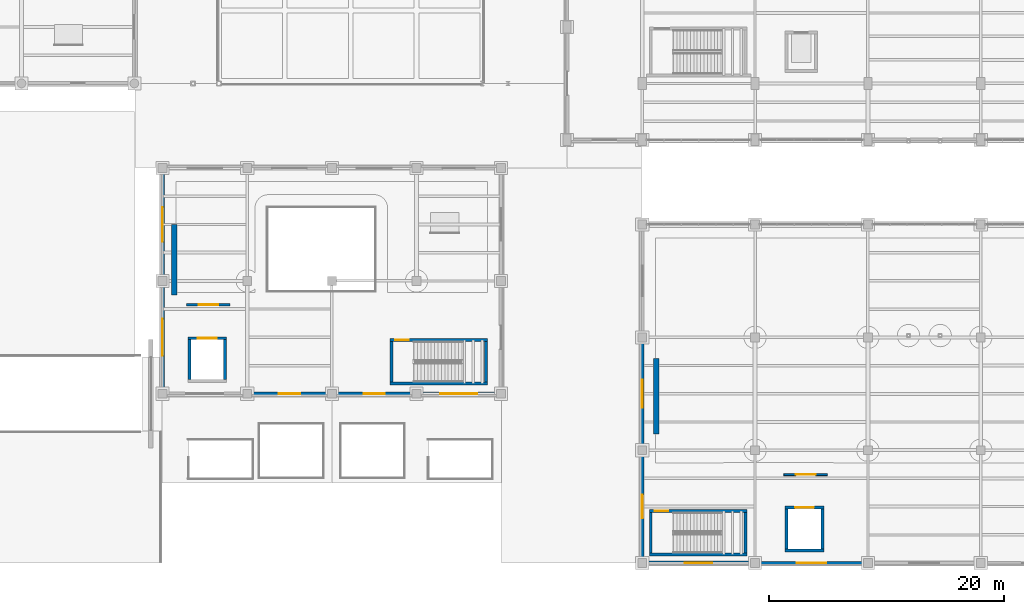
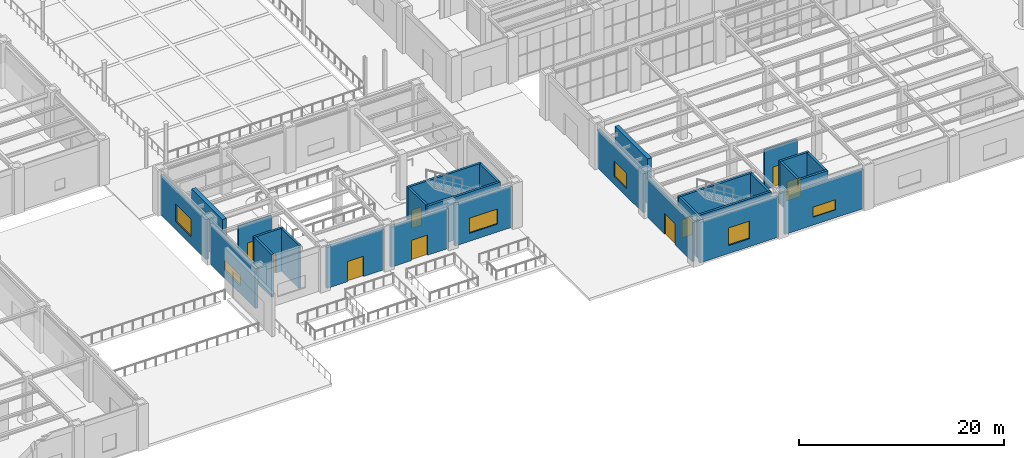
# One storey, part 131 of 164: 28 walls, 9 doors, 6 windows, 15 openings.
"""IFC4 building model written with IfcOpenShell, lengths in metres."""

import ifcopenshell
import ifcopenshell.guid

model = None  # the IFC model being written
_history = None  # IfcOwnerHistory: only IFC2X3 demands one
_inside = {}  # id of a spatial element -> (the spatial element, [elements in it])
_under = {}  # id of a project, library or spatial element -> (it, [spatial elements below it])
_declared = {}  # id of a project -> (the project, [libraries it declares])
_typed = {}  # id of a type object -> (the type object, [elements of that type])
_made_of = {}  # id of a material, layer set ... -> (it, [elements and type objects made of it])


def new_model(schema):
    """Start an empty IFC model of exactly this schema.

    Asked for "IFC4X3", IfcOpenShell would pick the latest addendum, in which some entities
    have other attributes; the version numbers below select the first issue.
    IFC2X3 requires an IfcOwnerHistory on every rooted entity: one is made here for all.
    """
    global model, _history
    if schema == "IFC4X3":
        model = ifcopenshell.file(schema_version=(4, 3, 0, 0))
    else:
        model = ifcopenshell.file(schema=schema)
    _inside.clear()
    _under.clear()
    _declared.clear()
    _typed.clear()
    _made_of.clear()
    _history = None
    if model.schema == "IFC2X3":
        org = make("IfcOrganization", Name="unknown")
        user = make(
            "IfcPersonAndOrganization",
            ThePerson=make("IfcPerson", FamilyName="unknown"),
            TheOrganization=org,
        )
        app = make(
            "IfcApplication",
            ApplicationDeveloper=org,
            Version="unknown",
            ApplicationFullName="unknown",
            ApplicationIdentifier="unknown",
        )
        _history = make(
            "IfcOwnerHistory",
            OwningUser=user,
            OwningApplication=app,
            ChangeAction="ADDED",
            CreationDate=0,
        )
    return model


def make(cls, **values):
    """One entity of the class cls with the attributes given. An attribute that is None is left unset."""
    return model.create_entity(
        cls, **{name: value for name, value in values.items() if value is not None}
    )


def rooted(cls, **values):
    """An entity with a GlobalId (a new one), such as an element, a storey or a relation."""
    return make(cls, GlobalId=ifcopenshell.guid.new(), OwnerHistory=_history, **values)


def si_unit(unit_type, name, prefix=None):
    """IfcSIUnit, for example si_unit("LENGTHUNIT", "METRE", prefix="MILLI")."""
    return make("IfcSIUnit", UnitType=unit_type, Prefix=prefix, Name=name)


def assignment(units):
    """IfcUnitAssignment: the units of a project."""
    return None if units is None else make("IfcUnitAssignment", Units=units)


def point(xyz):
    """IfcCartesianPoint."""
    return None if xyz is None else make("IfcCartesianPoint", Coordinates=xyz)


def direction(xyz):
    """IfcDirection."""
    return None if xyz is None else make("IfcDirection", DirectionRatios=xyz)


def frame(location, z_axis=None, x_axis=None):
    """IfcAxis2Placement3D, a coordinate frame: its origin and axes. An axis left out is left unset."""
    return make(
        "IfcAxis2Placement3D",
        Location=point(location),
        Axis=direction(z_axis),
        RefDirection=direction(x_axis),
    )


def frame_2d(location, x_axis=None):
    """IfcAxis2Placement2D, a coordinate frame in the plane: its origin and x axis."""
    return make(
        "IfcAxis2Placement2D", Location=point(location), RefDirection=direction(x_axis)
    )


def origin():
    """The frame at (0, 0, 0) with its axes left unset."""
    return frame((0.0, 0.0, 0.0))


def place(relative_to, where):
    """IfcLocalPlacement: puts the frame where relative to a parent placement (None: the world)."""
    return make(
        "IfcLocalPlacement", PlacementRelTo=relative_to, RelativePlacement=where
    )


def context(
    kind, dimensions, precision=None, world=None, true_north=None, identifier=None
):
    """IfcGeometricRepresentationContext, for example the 3D "Model" context."""
    return make(
        "IfcGeometricRepresentationContext",
        ContextIdentifier=identifier,
        ContextType=kind,
        CoordinateSpaceDimension=dimensions,
        Precision=precision,
        WorldCoordinateSystem=world,
        TrueNorth=true_north,
    )


def subcontext(parent, identifier, kind, view, scale=None):
    """IfcGeometricRepresentationSubContext, for example "Body" below "Model"."""
    return make(
        "IfcGeometricRepresentationSubContext",
        ContextIdentifier=identifier,
        ContextType=kind,
        ParentContext=parent,
        TargetScale=scale,
        TargetView=view,
    )


def project(units=None, contexts=None):
    """IfcProject with its units and contexts."""
    return rooted(
        "IfcProject",
        Name="project",
        RepresentationContexts=contexts,
        UnitsInContext=assignment(units),
    )


def spatial(cls, under=None, at=None, **own):
    """A site, building, storey or space (cls), placed at a placement, below another one or the project."""
    s = rooted(cls, ObjectPlacement=at, **own)
    if under is not None:
        _under.setdefault(under.id(), (under, []))[1].append(s)
    return s


def profile(cls, at=None, kind="AREA", **sizes):
    """A parametric profile (cls). Its sizes go by their IFC names, for example OverallWidth=200.0."""
    return make(cls, ProfileType=kind, Position=at, **sizes)


def rectangle(**sizes):
    """IfcRectangleProfileDef."""
    return profile("IfcRectangleProfileDef", **sizes)


def extrude(swept, where, along, depth):
    """IfcExtrudedAreaSolid: the profile swept, set in the frame where, extruded along a direction by depth."""
    return make(
        "IfcExtrudedAreaSolid",
        SweptArea=swept,
        Position=where,
        ExtrudedDirection=direction(along),
        Depth=depth,
    )


def shape(context_of_items, identifier, shape_type, items):
    """IfcShapeRepresentation: the items that make up one representation, for example the "Body"."""
    return make(
        "IfcShapeRepresentation",
        ContextOfItems=context_of_items,
        RepresentationIdentifier=identifier,
        RepresentationType=shape_type,
        Items=items,
    )


def material(Name=None, Category=None):
    """IfcMaterial."""
    return make("IfcMaterial", Name=Name, Category=Category)


def layer(
    of_material, thickness, ventilated=None, Name=None, Category=None, Priority=None
):
    """IfcMaterialLayer: one layer of a wall or slab, of a material (None: an air gap)."""
    return make(
        "IfcMaterialLayer",
        Material=of_material,
        LayerThickness=thickness,
        IsVentilated=ventilated,
        Name=Name,
        Category=Category,
        Priority=Priority,
    )


def layer_set(layers, Name=None):
    """IfcMaterialLayerSet."""
    return make("IfcMaterialLayerSet", MaterialLayers=layers, LayerSetName=Name)


def made_of(thing, what):
    """Note that an element or type object is made of a material, layer set ...; save() writes the relation."""
    if what is not None:
        _made_of.setdefault(what.id(), (what, []))[1].append(thing)
    return thing


def type_object(cls, material=None, **own):
    """A type object (cls), such as IfcWallType, which elements share."""
    return made_of(rooted(cls, **own), material)


def element(
    cls,
    number,
    at=None,
    inside=None,
    cuts=None,
    type_object=None,
    material=None,
    context=None,
    identifier="Body",
    shape_type=None,
    held_by="IfcProductDefinitionShape",
    body=None,
    shapes=None,
    **own,
):
    """One element of the class cls, such as IfcWall. Its Tag is "e" and its number.

    at: its placement. inside: the storey or other place that contains it. cuts: it is an
    opening in that element (IfcRelVoidsElement). A single representation is given by context,
    identifier, shape_type and body (its items); several are given by shapes. held_by: the class
    of the entity that holds the representations. save() writes the other relations.
    """
    e = rooted(cls, Tag="e%d" % number, ObjectPlacement=at, **own)
    if body is not None:
        shapes = [shape(context, identifier, shape_type, body)]
    if shapes is not None:
        e.Representation = make(held_by, Representations=shapes)
    if inside is not None:
        _inside.setdefault(inside.id(), (inside, []))[1].append(e)
    if cuts is not None:
        rooted(
            "IfcRelVoidsElement", RelatingBuildingElement=cuts, RelatedOpeningElement=e
        )
    if type_object is not None:
        _typed.setdefault(type_object.id(), (type_object, []))[1].append(e)
    return made_of(e, material)


def fill(opening, filler):
    """IfcRelFillsElement: the door or window that sits in an opening."""
    return rooted(
        "IfcRelFillsElement",
        RelatingOpeningElement=opening,
        RelatedBuildingElement=filler,
    )


def aggregate(whole, parts):
    """IfcRelAggregates: a whole, such as a stair, and the parts it consists of."""
    return rooted("IfcRelAggregates", RelatingObject=whole, RelatedObjects=parts)


def save(model, path):
    """Write the relations noted so far, then the file.

    IfcRelAggregates (storeys below a building ...), IfcRelContainedInSpatialStructure (elements
    in a storey), IfcRelDefinesByType, IfcRelAssociatesMaterial and IfcRelDeclares: one each for
    every whole, place, type object, material and project.
    """
    for whole, parts in _under.values():
        aggregate(whole, parts)
    for where, things in _inside.values():
        rooted(
            "IfcRelContainedInSpatialStructure",
            RelatedElements=things,
            RelatingStructure=where,
        )
    for kind, things in _typed.values():
        rooted("IfcRelDefinesByType", RelatedObjects=things, RelatingType=kind)
    for what, things in _made_of.values():
        rooted("IfcRelAssociatesMaterial", RelatedObjects=things, RelatingMaterial=what)
    for by, libraries in _declared.values():
        rooted("IfcRelDeclares", RelatingContext=by, RelatedDefinitions=libraries)
    model.write(path)


model = new_model("IFC4")

# Units and contexts
model_context = context("Model", 3, precision=1e-05, world=origin(), true_north=direction((0.0, 1.0)))
body_context = subcontext(model_context, "Body", "Model", "MODEL_VIEW")
ifc_project = project(units=[si_unit("LENGTHUNIT", "METRE"), si_unit("AREAUNIT", "SQUARE_METRE"), si_unit("VOLUMEUNIT", "CUBIC_METRE"), si_unit("PLANEANGLEUNIT", "RADIAN"), si_unit("MASSUNIT", "GRAM", prefix="KILO")], contexts=[model_context])

# Site, building, storey
site_placement = place(None, origin())
site = spatial("IfcSite", under=ifc_project, at=site_placement, CompositionType="ELEMENT")
building_placement = place(site_placement, origin())
building = spatial("IfcBuilding", under=site, at=building_placement, Name="Mavantir Sound Aquarium", CompositionType="ELEMENT")
storey_placement = place(building_placement, origin())
storey = spatial("IfcBuildingStorey", under=building, at=storey_placement, Name="L00", CompositionType="ELEMENT", Elevation=0.0)

# Wall, opening, window
ifc_material_1 = material(Name="Coral-Buff Architectural Precast Concrete C40/50", Category="concrete")
ifc_layer_1 = layer(ifc_material_1, 0.340087890625, Name="Coral-Buff Architectural Precast Concrete C40/50")
ifc_layer_set_1 = layer_set([ifc_layer_1], Name="Coral-Buff Architectural Precast Concrete C40/50")
wall_type_1 = type_object("IfcWallType", Name="EW-CORAL-340", PredefinedType="SOLIDWALL", material=ifc_layer_set_1)
wall_1_placement = place(storey_placement, frame((67.199951171875, 33.217041015625, 0.0), z_axis=(0.0, 0.0, 1.0), x_axis=(0.0, -1.0, 0.0)))
wall_1 = element("IfcWall", 1, at=wall_1_placement, inside=storey, type_object=wall_type_1, Name="L00 exterior facade wall EW-01 132", PredefinedType="SOLIDWALL", context=body_context, shape_type="SweptSolid", body=[
    extrude(rectangle(XDim=8.833984375, YDim=0.340087890625, at=frame_2d((4.4169921875, 0.0))), origin(), (0.0, 0.0, 1.0), 4.712890625),
])
opening_1_placement = place(wall_1_placement, frame((2.94189453125, 0.0, 0.949951171875)))
opening_1 = element("IfcOpeningElement", 2, at=opening_1_placement, cuts=wall_1, Name="Opening W-44", PredefinedType="OPENING", context=body_context, shape_type="SweptSolid", body=[
    extrude(rectangle(XDim=2.949951171875, YDim=2.10009765625, at=frame_2d((1.47509765625, 1.050048828125))), frame((0.0, 0.18017578125, 0.0), z_axis=(0.0, -1.0, 0.0), x_axis=(1.0, 0.0, 0.0)), (0.0, 0.0, 1.0), 0.360107421875),
])
ifc_material_2 = material(Name="Thermally Broken Aluminium and Low-E Glass", Category="aluminium")
window_type_1 = type_object("IfcWindowType", Name="WIN-EXT-44", PartitioningType="TRIPLE_PANEL_VERTICAL", PredefinedType="WINDOW", material=ifc_material_2)
window_1_placement = place(opening_1_placement, origin())
window_1 = element("IfcWindow", 3, at=window_1_placement, inside=storey, type_object=window_type_1, Name="L00 facade window W-44 44", OverallHeight=2.10009765625, OverallWidth=2.949951171875, PartitioningType="SINGLE_PANEL", PredefinedType="WINDOW", context=body_context, shape_type="SweptSolid", body=[
    extrude(rectangle(XDim=2.949951171875, YDim=2.10009765625, at=frame_2d((1.47509765625, 1.050048828125))), frame((0.0, 0.030029296875, 0.0), z_axis=(0.0, -1.0, 0.0), x_axis=(1.0, 0.0, 0.0)), (0.0, 0.0, 1.0), 0.06005859375),
])
fill(opening_1, window_1)

wall_2_placement = place(storey_placement, frame((67.199951171875, 23.616943359375, 0.0), z_axis=(0.0, 0.0, 1.0), x_axis=(0.0, -1.0, 0.0)))
wall_2 = element("IfcWall", 4, at=wall_2_placement, inside=storey, type_object=wall_type_1, Name="L00 exterior facade wall EW-01 133", PredefinedType="SOLIDWALL", context=body_context, shape_type="SweptSolid", body=[
    extrude(rectangle(XDim=8.833984375, YDim=0.340087890625, at=frame_2d((4.4169921875, 0.0))), origin(), (0.0, 0.0, 1.0), 4.712890625),
])
opening_2_placement = place(wall_2_placement, frame((2.842041015625, 0.0, 0.949951171875)))
opening_2 = element("IfcOpeningElement", 5, at=opening_2_placement, cuts=wall_2, Name="Opening W-45", PredefinedType="OPENING", context=body_context, shape_type="SweptSolid", body=[
    extrude(rectangle(XDim=3.14990234375, YDim=1.199951171875, at=frame_2d((1.574951171875, 0.60009765625))), frame((0.0, 0.18017578125, 0.0), z_axis=(0.0, -1.0, 0.0), x_axis=(1.0, 0.0, 0.0)), (0.0, 0.0, 1.0), 0.360107421875),
])
window_type_2 = type_object("IfcWindowType", Name="WIN-EXT-45", PartitioningType="TRIPLE_PANEL_VERTICAL", PredefinedType="WINDOW", material=ifc_material_2)
window_2_placement = place(opening_2_placement, origin())
window_2 = element("IfcWindow", 6, at=window_2_placement, inside=storey, type_object=window_type_2, Name="L00 facade window W-45 45", OverallHeight=1.199951171875, OverallWidth=3.14990234375, PartitioningType="SINGLE_PANEL", PredefinedType="WINDOW", context=body_context, shape_type="SweptSolid", body=[
    extrude(rectangle(XDim=3.14990234375, YDim=1.199951171875, at=frame_2d((1.574951171875, 0.60009765625))), frame((0.0, 0.030029296875, 0.0), z_axis=(0.0, -1.0, 0.0), x_axis=(1.0, 0.0, 0.0)), (0.0, 0.0, 1.0), 0.06005859375),
])
fill(opening_2, window_2)

# Wall, opening, door
wall_3_placement = place(storey_placement, frame((74.782958984375, 14.39990234375, 0.0), z_axis=(0.0, 0.0, 1.0), x_axis=(1.0, 0.0, 0.0)))
wall_3 = element("IfcWall", 7, at=wall_3_placement, inside=storey, type_object=wall_type_1, Name="L00 exterior facade wall EW-01 135", PredefinedType="SOLIDWALL", context=body_context, shape_type="SweptSolid", body=[
    extrude(rectangle(XDim=6.43408203125, YDim=0.340087890625, at=frame_2d((3.217041015625, 0.0))), origin(), (0.0, 0.0, 1.0), 4.863037109375),
])
opening_3_placement = place(wall_3_placement, frame((4.116943359375, 0.0, 0.0), z_axis=(0.0, 0.0, 1.0), x_axis=(-1.0, 0.0, 0.0)))
opening_3 = element("IfcOpeningElement", 8, at=opening_3_placement, cuts=wall_3, Name="Opening EXD-02", PredefinedType="OPENING", context=body_context, shape_type="SweptSolid", body=[
    extrude(rectangle(XDim=1.800048828125, YDim=2.39990234375, at=frame_2d((0.89990234375, 1.199951171875))), frame((0.0, 0.18017578125, 0.0), z_axis=(0.0, -1.0, 0.0), x_axis=(1.0, 0.0, 0.0)), (0.0, 0.0, 1.0), 0.360107421875),
])
ifc_material_3 = material(Name="Marine-Grade Anodised Aluminium and Laminated Glass", Category="aluminium")
door_type_1 = type_object("IfcDoorType", Name="DR-EX-180", OperationType="NOTDEFINED", PredefinedType="DOOR", material=ifc_material_3)
door_1_placement = place(opening_3_placement, origin())
door_1 = element("IfcDoor", 9, at=door_1_placement, inside=storey, type_object=door_type_1, Name="Forecourt terrace exit door FC-1", OperationType="DOUBLE_DOOR_SINGLE_SWING", OverallHeight=2.39990234375, OverallWidth=1.800048828125, PredefinedType="DOOR", context=body_context, shape_type="SweptSolid", body=[
    extrude(rectangle(XDim=1.800048828125, YDim=2.39990234375, at=frame_2d((0.89990234375, 1.199951171875))), frame((0.0, 0.02490234375, 0.0), z_axis=(0.0, -1.0, 0.0), x_axis=(1.0, 0.0, 0.0)), (0.0, 0.0, 1.0), 0.050048828125),
])
fill(opening_3, door_1)

wall_4_placement = place(storey_placement, frame((81.98291015625, 14.39990234375, 0.0), z_axis=(0.0, 0.0, 1.0), x_axis=(1.0, 0.0, 0.0)))
wall_4 = element("IfcWall", 10, at=wall_4_placement, inside=storey, type_object=wall_type_1, Name="L00 exterior facade wall EW-01 136", PredefinedType="SOLIDWALL", context=body_context, shape_type="SweptSolid", body=[
    extrude(rectangle(XDim=6.43408203125, YDim=0.340087890625, at=frame_2d((3.217041015625, 0.0))), origin(), (0.0, 0.0, 1.0), 4.758056640625),
])
opening_4_placement = place(wall_4_placement, frame((4.116943359375, 0.0, 0.0), z_axis=(0.0, 0.0, 1.0), x_axis=(-1.0, 0.0, 0.0)))
opening_4 = element("IfcOpeningElement", 11, at=opening_4_placement, cuts=wall_4, Name="Opening EXD-02", PredefinedType="OPENING", context=body_context, shape_type="SweptSolid", body=[
    extrude(rectangle(XDim=1.800048828125, YDim=2.39990234375, at=frame_2d((0.89990234375, 1.199951171875))), frame((0.0, 0.18017578125, 0.0), z_axis=(0.0, -1.0, 0.0), x_axis=(1.0, 0.0, 0.0)), (0.0, 0.0, 1.0), 0.360107421875),
])
door_2_placement = place(opening_4_placement, origin())
door_2 = element("IfcDoor", 12, at=door_2_placement, inside=storey, type_object=door_type_1, Name="Forecourt terrace exit door FC-2", OperationType="DOUBLE_DOOR_SINGLE_SWING", OverallHeight=2.39990234375, OverallWidth=1.800048828125, PredefinedType="DOOR", context=body_context, shape_type="SweptSolid", body=[
    extrude(rectangle(XDim=1.800048828125, YDim=2.39990234375, at=frame_2d((0.89990234375, 1.199951171875))), frame((0.0, 0.02490234375, 0.0), z_axis=(0.0, -1.0, 0.0), x_axis=(1.0, 0.0, 0.0)), (0.0, 0.0, 1.0), 0.050048828125),
])
fill(opening_4, door_2)

# Wall, opening, window
wall_5_placement = place(storey_placement, frame((89.18310546875, 14.39990234375, 0.0), z_axis=(0.0, 0.0, 1.0), x_axis=(1.0, 0.0, 0.0)))
wall_5 = element("IfcWall", 13, at=wall_5_placement, inside=storey, type_object=wall_type_1, Name="L00 exterior facade wall EW-01 137", PredefinedType="SOLIDWALL", context=body_context, shape_type="SweptSolid", body=[
    extrude(rectangle(XDim=6.433837890625, YDim=0.340087890625, at=frame_2d((3.216796875, 0.0))), origin(), (0.0, 0.0, 1.0), 4.863037109375),
])
opening_5_placement = place(wall_5_placement, frame((1.64208984375, 0.0, 0.949951171875)))
opening_5 = element("IfcOpeningElement", 14, at=opening_5_placement, cuts=wall_5, Name="Opening W-47", PredefinedType="OPENING", context=body_context, shape_type="SweptSolid", body=[
    extrude(rectangle(XDim=3.14990234375, YDim=1.800048828125, at=frame_2d((1.574951171875, 0.89990234375))), frame((0.0, 0.18017578125, 0.0), z_axis=(0.0, -1.0, 0.0), x_axis=(1.0, 0.0, 0.0)), (0.0, 0.0, 1.0), 0.360107421875),
])
window_type_3 = type_object("IfcWindowType", Name="WIN-EXT-47", PartitioningType="TRIPLE_PANEL_VERTICAL", PredefinedType="WINDOW", material=ifc_material_2)
window_3_placement = place(opening_5_placement, origin())
window_3 = element("IfcWindow", 15, at=window_3_placement, inside=storey, type_object=window_type_3, Name="L00 facade window W-47 47", OverallHeight=1.800048828125, OverallWidth=3.14990234375, PartitioningType="SINGLE_PANEL", PredefinedType="WINDOW", context=body_context, shape_type="SweptSolid", body=[
    extrude(rectangle(XDim=3.14990234375, YDim=1.800048828125, at=frame_2d((1.574951171875, 0.89990234375))), frame((0.0, 0.030029296875, 0.0), z_axis=(0.0, -1.0, 0.0), x_axis=(1.0, 0.0, 0.0)), (0.0, 0.0, 1.0), 0.06005859375),
])
fill(opening_5, window_3)

ifc_material_4 = material(Name="Architectural Precast Concrete C40/50", Category="concrete")
ifc_layer_2 = layer(ifc_material_4, 0.239990234375, Name="Architectural Precast Concrete C40/50")
ifc_layer_set_2 = layer_set([ifc_layer_2], Name="Architectural Precast Concrete C40/50")
wall_type_2 = type_object("IfcWallType", Name="EW-PRE-240", PredefinedType="SOLIDWALL", material=ifc_layer_set_2)
wall_6_placement = place(storey_placement, frame((117.98291015625, 0.0, 0.0), z_axis=(0.0, 0.0, 1.0), x_axis=(1.0, 0.0, 0.0)))
wall_6 = element("IfcWall", 16, at=wall_6_placement, inside=storey, type_object=wall_type_2, Name="L00 exterior facade wall EW-06 120", PredefinedType="SOLIDWALL", context=body_context, shape_type="SweptSolid", body=[
    extrude(rectangle(XDim=8.833984375, YDim=0.239990234375, at=frame_2d((4.4169921875, 0.0))), origin(), (0.0, 0.0, 1.0), 4.7080078125),
])
opening_6_placement = place(wall_6_placement, frame((3.14208984375, 0.0, 0.949951171875)))
opening_6 = element("IfcOpeningElement", 17, at=opening_6_placement, cuts=wall_6, Name="Opening W-33", PredefinedType="OPENING", context=body_context, shape_type="SweptSolid", body=[
    extrude(rectangle(XDim=2.550048828125, YDim=1.199951171875, at=frame_2d((1.27490234375, 0.60009765625))), frame((0.0, 0.1298828125, 0.0), z_axis=(0.0, -1.0, 0.0), x_axis=(1.0, 0.0, 0.0)), (0.0, 0.0, 1.0), 0.260009765625),
])
window_type_4 = type_object("IfcWindowType", Name="WIN-EXT-33", PartitioningType="TRIPLE_PANEL_VERTICAL", PredefinedType="WINDOW", material=ifc_material_2)
window_4_placement = place(opening_6_placement, origin())
window_4 = element("IfcWindow", 18, at=window_4_placement, inside=storey, type_object=window_type_4, Name="L00 facade window W-33 33", OverallHeight=1.199951171875, OverallWidth=2.550048828125, PartitioningType="SINGLE_PANEL", PredefinedType="WINDOW", context=body_context, shape_type="SweptSolid", body=[
    extrude(rectangle(XDim=2.550048828125, YDim=1.199951171875, at=frame_2d((1.27490234375, 0.60009765625))), frame((0.0, 0.030029296875, 0.0), z_axis=(0.0, -1.0, 0.0), x_axis=(1.0, 0.0, 0.0)), (0.0, 0.0, 1.0), 0.06005859375),
])
fill(opening_6, window_4)

ifc_layer_3 = layer(ifc_material_1, 0.360107421875, Name="Coral-Buff Architectural Precast Concrete C40/50")
ifc_layer_set_3 = layer_set([ifc_layer_3], Name="Coral-Buff Architectural Precast Concrete C40/50")
wall_type_3 = type_object("IfcWallType", Name="EW-PRE-360", PredefinedType="SOLIDWALL", material=ifc_layer_set_3)
wall_7_placement = place(storey_placement, frame((108.383056640625, 0.0, 0.0), z_axis=(0.0, 0.0, 1.0), x_axis=(1.0, 0.0, 0.0)))
wall_7 = element("IfcWall", 19, at=wall_7_placement, inside=storey, type_object=wall_type_3, Name="L00 exterior facade wall EW-05 119", PredefinedType="SOLIDWALL", context=body_context, shape_type="SweptSolid", body=[
    extrude(rectangle(XDim=8.833984375, YDim=0.360107421875, at=frame_2d((4.4169921875, 0.0))), origin(), (0.0, 0.0, 1.0), 4.81298828125),
])
opening_7_placement = place(wall_7_placement, frame((3.241943359375, 0.0, 0.949951171875)))
opening_7 = element("IfcOpeningElement", 20, at=opening_7_placement, cuts=wall_7, Name="Opening W-32", PredefinedType="OPENING", context=body_context, shape_type="SweptSolid", body=[
    extrude(rectangle(XDim=2.35009765625, YDim=2.10009765625, at=frame_2d((1.175048828125, 1.050048828125))), frame((0.0, 0.18994140625, 0.0), z_axis=(0.0, -1.0, 0.0), x_axis=(1.0, 0.0, 0.0)), (0.0, 0.0, 1.0), 0.380126953125),
])
window_type_5 = type_object("IfcWindowType", Name="WIN-EXT-32", PartitioningType="DOUBLE_PANEL_VERTICAL", PredefinedType="WINDOW", material=ifc_material_2)
window_5_placement = place(opening_7_placement, origin())
window_5 = element("IfcWindow", 21, at=window_5_placement, inside=storey, type_object=window_type_5, Name="L00 facade window W-32 32", OverallHeight=2.10009765625, OverallWidth=2.35009765625, PartitioningType="SINGLE_PANEL", PredefinedType="WINDOW", context=body_context, shape_type="SweptSolid", body=[
    extrude(rectangle(XDim=2.35009765625, YDim=2.10009765625, at=frame_2d((1.175048828125, 1.050048828125))), frame((0.0, 0.030029296875, 0.0), z_axis=(0.0, -1.0, 0.0), x_axis=(1.0, 0.0, 0.0)), (0.0, 0.0, 1.0), 0.06005859375),
])
fill(opening_7, window_5)

# Wall, opening, door
ifc_material_5 = material(Name="Cerulean Glazed Terracotta Rainscreen on Concrete C40/50", Category="masonry")
ifc_layer_4 = layer(ifc_material_5, 0.27001953125, Name="Cerulean Glazed Terracotta Rainscreen on Concrete C40/50")
ifc_layer_set_4 = layer_set([ifc_layer_4], Name="Cerulean Glazed Terracotta Rainscreen on Concrete C40/50")
wall_type_4 = type_object("IfcWallType", Name="EW-TERRA-270", PredefinedType="SOLIDWALL", material=ifc_layer_set_4)
wall_8_placement = place(storey_placement, frame((108.0, 9.217041015625, 0.0), z_axis=(0.0, 0.0, 1.0), x_axis=(0.0, -1.0, 0.0)))
wall_8 = element("IfcWall", 22, at=wall_8_placement, inside=storey, type_object=wall_type_4, Name="L00 exterior facade wall EW-04 118", PredefinedType="SOLIDWALL", context=body_context, shape_type="SweptSolid", body=[
    extrude(rectangle(XDim=8.833984375, YDim=0.27001953125, at=frame_2d((4.4169921875, 0.0))), origin(), (0.0, 0.0, 1.0), 4.6630859375),
])
opening_8_placement = place(wall_8_placement, frame((5.4169921875, 0.0, 0.0), z_axis=(0.0, 0.0, 1.0), x_axis=(-1.0, 0.0, 0.0)))
opening_8 = element("IfcOpeningElement", 23, at=opening_8_placement, cuts=wall_8, Name="Opening EXD-01", PredefinedType="OPENING", context=body_context, shape_type="SweptSolid", body=[
    extrude(rectangle(XDim=2.0, YDim=2.5, at=frame_2d((1.0, 1.25))), frame((0.0, 0.14501953125, 0.0), z_axis=(0.0, -1.0, 0.0), x_axis=(1.0, 0.0, 0.0)), (0.0, 0.0, 1.0), 0.2900390625),
])
door_type_2 = type_object("IfcDoorType", Name="DR-EX-200", OperationType="NOTDEFINED", PredefinedType="DOOR", material=ifc_material_3)
door_3_placement = place(opening_8_placement, origin())
door_3 = element("IfcDoor", 24, at=door_3_placement, inside=storey, type_object=door_type_2, Name="Final exit door EX-08 (V6 ST6 discharge)", OperationType="DOUBLE_DOOR_SINGLE_SWING", OverallHeight=2.5, OverallWidth=2.0, PredefinedType="DOOR", context=body_context, shape_type="SweptSolid", body=[
    extrude(rectangle(XDim=2.0, YDim=2.5, at=frame_2d((1.0, 1.25))), frame((0.0, 0.02490234375, 0.0), z_axis=(0.0, -1.0, 0.0), x_axis=(1.0, 0.0, 0.0)), (0.0, 0.0, 1.0), 0.050048828125),
])
fill(opening_8, door_3)

# Wall, opening, window
ifc_material_6 = material(Name="Turquoise Glazed Terracotta Rainscreen on Concrete C40/50", Category="masonry")
ifc_layer_5 = layer(ifc_material_6, 0.2900390625, Name="Turquoise Glazed Terracotta Rainscreen on Concrete C40/50")
ifc_layer_set_5 = layer_set([ifc_layer_5], Name="Turquoise Glazed Terracotta Rainscreen on Concrete C40/50")
wall_type_5 = type_object("IfcWallType", Name="EW-TERRA-290", PredefinedType="SOLIDWALL", material=ifc_layer_set_5)
wall_9_placement = place(storey_placement, frame((108.0, 18.81689453125, 0.0), z_axis=(0.0, 0.0, 1.0), x_axis=(0.0, -1.0, 0.0)))
wall_9 = element("IfcWall", 25, at=wall_9_placement, inside=storey, type_object=wall_type_5, Name="L00 exterior facade wall EW-03 117", PredefinedType="SOLIDWALL", context=body_context, shape_type="SweptSolid", body=[
    extrude(rectangle(XDim=8.833984375, YDim=0.2900390625, at=frame_2d((4.4169921875, 0.0))), origin(), (0.0, 0.0, 1.0), 4.59912109375),
])
opening_9_placement = place(wall_9_placement, frame((3.241943359375, 0.0, 0.949951171875)))
opening_9 = element("IfcOpeningElement", 26, at=opening_9_placement, cuts=wall_9, Name="Opening W-31", PredefinedType="OPENING", context=body_context, shape_type="SweptSolid", body=[
    extrude(rectangle(XDim=2.35009765625, YDim=1.800048828125, at=frame_2d((1.175048828125, 0.89990234375))), frame((0.0, 0.155029296875, 0.0), z_axis=(0.0, -1.0, 0.0), x_axis=(1.0, 0.0, 0.0)), (0.0, 0.0, 1.0), 0.31005859375),
])
window_type_6 = type_object("IfcWindowType", Name="WIN-EXT-31", PartitioningType="DOUBLE_PANEL_VERTICAL", PredefinedType="WINDOW", material=ifc_material_2)
window_6_placement = place(opening_9_placement, origin())
window_6 = element("IfcWindow", 27, at=window_6_placement, inside=storey, type_object=window_type_6, Name="L00 facade window W-31 31", OverallHeight=1.800048828125, OverallWidth=2.35009765625, PartitioningType="SINGLE_PANEL", PredefinedType="WINDOW", context=body_context, shape_type="SweptSolid", body=[
    extrude(rectangle(XDim=2.35009765625, YDim=1.800048828125, at=frame_2d((1.175048828125, 0.89990234375))), frame((0.0, 0.030029296875, 0.0), z_axis=(0.0, -1.0, 0.0), x_axis=(1.0, 0.0, 0.0)), (0.0, 0.0, 1.0), 0.06005859375),
])
fill(opening_9, window_6)

# Wall, opening, door
ifc_material_7 = material(Name="Acoustic Metal-Stud Gypsum Partition", Category="gypsum")
ifc_layer_6 = layer(ifc_material_7, 0.159912109375, Name="Acoustic Metal-Stud Gypsum Partition")
ifc_layer_set_6 = layer_set([ifc_layer_6], Name="Acoustic Metal-Stud Gypsum Partition")
wall_type_6 = type_object("IfcWallType", Name="IW-PART-160", PredefinedType="PARTITIONING", material=ifc_layer_set_6)
wall_10_placement = place(storey_placement, frame((120.050048828125, 7.52490234375, 0.0), z_axis=(0.0, 0.0, 1.0), x_axis=(1.0, 0.0, 0.0)))
wall_10 = element("IfcWall", 28, at=wall_10_placement, inside=storey, type_object=wall_type_6, Name="L00 Marine Quarantine and Veterinary Hospital Suite entry partition", PredefinedType="PARTITIONING", context=body_context, shape_type="SweptSolid", body=[
    extrude(rectangle(XDim=3.699951171875, YDim=0.159912109375, at=frame_2d((1.85009765625, 0.0))), origin(), (0.0, 0.0, 1.0), 4.763916015625),
])
opening_10_placement = place(wall_10_placement, frame((0.989990234375, 0.0, 0.0)))
opening_10 = element("IfcOpeningElement", 29, at=opening_10_placement, cuts=wall_10, Name="Opening ID-16", PredefinedType="OPENING", context=body_context, shape_type="SweptSolid", body=[
    extrude(rectangle(XDim=1.719970703125, YDim=2.3798828125, at=frame_2d((0.85986328125, 1.18994140625))), frame((0.0, 0.08984375, 0.0), z_axis=(0.0, -1.0, 0.0), x_axis=(1.0, 0.0, 0.0)), (0.0, 0.0, 1.0), 0.179931640625),
])
ifc_material_8 = material(Name="Solid-Core Marine Hardwood and Vision-Panel Door", Category="wood")
door_type_3 = type_object("IfcDoorType", Name="DR-INT-16", OperationType="NOTDEFINED", PredefinedType="DOOR", material=ifc_material_8)
door_4_placement = place(opening_10_placement, origin())
door_4 = element("IfcDoor", 30, at=door_4_placement, inside=storey, type_object=door_type_3, Name="Marine Quarantine and Veterinary Hospital Suite door", OperationType="SINGLE_SWING_RIGHT", OverallHeight=2.3798828125, OverallWidth=1.719970703125, PredefinedType="DOOR", context=body_context, shape_type="SweptSolid", body=[
    extrude(rectangle(XDim=1.719970703125, YDim=2.3798828125, at=frame_2d((0.85986328125, 1.18994140625))), frame((0.0, 0.02490234375, 0.0), z_axis=(0.0, -1.0, 0.0), x_axis=(1.0, 0.0, 0.0)), (0.0, 0.0, 1.0), 0.050048828125),
])
fill(opening_10, door_4)

ifc_layer_7 = layer(ifc_material_7, 0.179931640625, Name="Acoustic Metal-Stud Gypsum Partition")
ifc_layer_set_7 = layer_set([ifc_layer_7], Name="Acoustic Metal-Stud Gypsum Partition")
wall_type_7 = type_object("IfcWallType", Name="IW-PART-180", PredefinedType="PARTITIONING", material=ifc_layer_set_7)
wall_11_placement = place(storey_placement, frame((69.25, 21.97509765625, 0.0), z_axis=(0.0, 0.0, 1.0), x_axis=(1.0, 0.0, 0.0)))
wall_11 = element("IfcWall", 31, at=wall_11_placement, inside=storey, type_object=wall_type_7, Name="L00 Main Public Reception, Ticketing and Harbour Arcade entry partition", PredefinedType="PARTITIONING", context=body_context, shape_type="SweptSolid", body=[
    extrude(rectangle(XDim=3.699951171875, YDim=0.179931640625, at=frame_2d((1.85009765625, 0.0))), origin(), (0.0, 0.0, 1.0), 4.712890625),
])
opening_11_placement = place(wall_11_placement, frame((1.030029296875, 0.0, 0.0)))
opening_11 = element("IfcOpeningElement", 32, at=opening_11_placement, cuts=wall_11, Name="Opening ID-15", PredefinedType="OPENING", context=body_context, shape_type="SweptSolid", body=[
    extrude(rectangle(XDim=1.639892578125, YDim=2.35009765625, at=frame_2d((0.81982421875, 1.175048828125))), frame((0.0, 0.10009765625, 0.0), z_axis=(0.0, -1.0, 0.0), x_axis=(1.0, 0.0, 0.0)), (0.0, 0.0, 1.0), 0.199951171875),
])
door_type_4 = type_object("IfcDoorType", Name="DR-INT-15", OperationType="NOTDEFINED", PredefinedType="DOOR", material=ifc_material_8)
door_5_placement = place(opening_11_placement, origin())
door_5 = element("IfcDoor", 33, at=door_5_placement, inside=storey, type_object=door_type_4, Name="Main Public Reception, Ticketing and Harbour Arcade door", OperationType="SINGLE_SWING_LEFT", OverallHeight=2.35009765625, OverallWidth=1.639892578125, PredefinedType="DOOR", context=body_context, shape_type="SweptSolid", body=[
    extrude(rectangle(XDim=1.639892578125, YDim=2.35009765625, at=frame_2d((0.81982421875, 1.175048828125))), frame((0.0, 0.02490234375, 0.0), z_axis=(0.0, -1.0, 0.0), x_axis=(1.0, 0.0, 0.0)), (0.0, 0.0, 1.0), 0.050048828125),
])
fill(opening_11, door_5)

# Wall
ifc_material_9 = material(Name="Concrete C40/50", Category="concrete")
ifc_layer_8 = layer(ifc_material_9, 0.25, Name="Concrete C40/50")
ifc_layer_set_8 = layer_set([ifc_layer_8], Name="Concrete C40/50")
wall_type_8 = type_object("IfcWallType", Name="IW-SHAFT-250", PredefinedType="SHEAR", material=ifc_layer_set_8)
wall_12_placement = place(storey_placement, frame((108.60009765625, 0.72509765625, 0.0), z_axis=(0.0, 0.0, 1.0), x_axis=(1.0, 0.0, 0.0)))
element("IfcWall", 34, at=wall_12_placement, inside=storey, type_object=wall_type_8, Name="L00 stair ST6 shaft wall S", PredefinedType="SHEAR", context=body_context, shape_type="SweptSolid", body=[
    extrude(rectangle(XDim=8.2998046875, YDim=0.25, at=frame_2d((4.14990234375, 0.0))), origin(), (0.0, 0.0, 1.0), 5.050048828125),
])

# Wall, opening, door
wall_13_placement = place(storey_placement, frame((116.89990234375, 4.425048828125, 0.0), z_axis=(0.0, 0.0, 1.0), x_axis=(-1.0, 0.0, 0.0)))
wall_13 = element("IfcWall", 35, at=wall_13_placement, inside=storey, type_object=wall_type_8, Name="L00 stair ST6 shaft wall N", PredefinedType="SHEAR", context=body_context, shape_type="SweptSolid", body=[
    extrude(rectangle(XDim=8.2998046875, YDim=0.25, at=frame_2d((4.14990234375, 0.0))), origin(), (0.0, 0.0, 1.0), 5.050048828125),
])
opening_12_placement = place(wall_13_placement, frame((7.849853515625, 0.0, 0.0), z_axis=(0.0, 0.0, 1.0), x_axis=(-1.0, 0.0, 0.0)))
opening_12 = element("IfcOpeningElement", 36, at=opening_12_placement, cuts=wall_13, Name="Opening SD-02", PredefinedType="OPENING", context=body_context, shape_type="SweptSolid", body=[
    extrude(rectangle(XDim=1.14990234375, YDim=2.199951171875, at=frame_2d((0.574951171875, 1.10009765625))), frame((0.0, 0.135009765625, 0.0), z_axis=(0.0, -1.0, 0.0), x_axis=(1.0, 0.0, 0.0)), (0.0, 0.0, 1.0), 0.27001953125),
])
ifc_material_10 = material(Name="Fire-Rated Steel Acoustic Door Leaf", Category="steel")
door_type_5 = type_object("IfcDoorType", Name="DR-ST-115", OperationType="NOTDEFINED", PredefinedType="DOOR", material=ifc_material_10)
door_6_placement = place(opening_12_placement, origin())
door_6 = element("IfcDoor", 37, at=door_6_placement, inside=storey, type_object=door_type_5, Name="L00 protected exit stair ST6 door", OperationType="SINGLE_SWING_LEFT", OverallHeight=2.199951171875, OverallWidth=1.14990234375, PredefinedType="DOOR", context=body_context, shape_type="SweptSolid", body=[
    extrude(rectangle(XDim=1.14990234375, YDim=2.199951171875, at=frame_2d((0.574951171875, 1.10009765625))), frame((0.0, 0.02490234375, 0.0), z_axis=(0.0, -1.0, 0.0), x_axis=(1.0, 0.0, 0.0)), (0.0, 0.0, 1.0), 0.050048828125),
])
fill(opening_12, door_6)

# Walls
for number, where, z_axis, x_axis, name in (
    (38, (108.72509765625, 4.300048828125, 0.0), (0.0, 0.0, 1.0), (0.0, -1.0, 0.0), "L00 stair ST6 shaft wall W"),
    (39, (116.77490234375, 0.85009765625, 0.0), (0.0, 0.0, 1.0), (0.0, 1.0, 0.0), "L00 stair ST6 shaft wall E"),
):
    element("IfcWall", number, at=place(storey_placement, frame(where, z_axis=z_axis, x_axis=x_axis)), inside=storey, type_object=wall_type_8, Name=name, PredefinedType="SHEAR", context=body_context, shape_type="SweptSolid", body=[
        extrude(rectangle(XDim=3.449951171875, YDim=0.25, at=frame_2d((1.72509765625, 0.0))), origin(), (0.0, 0.0, 1.0), 5.050048828125),
    ])
wall_14_placement = place(storey_placement, frame((86.550048828125, 15.27490234375, 0.0), z_axis=(0.0, 0.0, 1.0), x_axis=(1.0, 0.0, 0.0)))
element("IfcWall", 40, at=wall_14_placement, inside=storey, type_object=wall_type_8, Name="L00 stair ST11 shaft wall S", PredefinedType="SHEAR", context=body_context, shape_type="SweptSolid", body=[
    extrude(rectangle(XDim=8.300048828125, YDim=0.25, at=frame_2d((4.14990234375, 0.0))), origin(), (0.0, 0.0, 1.0), 5.10009765625),
])

# Wall, opening, door
wall_15_placement = place(storey_placement, frame((94.85009765625, 18.97509765625, 0.0), z_axis=(0.0, 0.0, 1.0), x_axis=(-1.0, 0.0, 0.0)))
wall_15 = element("IfcWall", 41, at=wall_15_placement, inside=storey, type_object=wall_type_8, Name="L00 stair ST11 shaft wall N", PredefinedType="SHEAR", context=body_context, shape_type="SweptSolid", body=[
    extrude(rectangle(XDim=8.300048828125, YDim=0.25, at=frame_2d((4.14990234375, 0.0))), origin(), (0.0, 0.0, 1.0), 5.10009765625),
])
opening_13_placement = place(wall_15_placement, frame((7.849853515625, 0.0, 0.0), z_axis=(0.0, 0.0, 1.0), x_axis=(-1.0, 0.0, 0.0)))
opening_13 = element("IfcOpeningElement", 42, at=opening_13_placement, cuts=wall_15, Name="Opening SD-02", PredefinedType="OPENING", context=body_context, shape_type="SweptSolid", body=[
    extrude(rectangle(XDim=1.14990234375, YDim=2.199951171875, at=frame_2d((0.574951171875, 1.10009765625))), frame((0.0, 0.135009765625, 0.0), z_axis=(0.0, -1.0, 0.0), x_axis=(1.0, 0.0, 0.0)), (0.0, 0.0, 1.0), 0.27001953125),
])
door_7_placement = place(opening_13_placement, origin())
door_7 = element("IfcDoor", 43, at=door_7_placement, inside=storey, type_object=door_type_5, Name="L00 protected exit stair ST11 door", OperationType="SINGLE_SWING_LEFT", OverallHeight=2.199951171875, OverallWidth=1.14990234375, PredefinedType="DOOR", context=body_context, shape_type="SweptSolid", body=[
    extrude(rectangle(XDim=1.14990234375, YDim=2.199951171875, at=frame_2d((0.574951171875, 1.10009765625))), frame((0.0, 0.02490234375, 0.0), z_axis=(0.0, -1.0, 0.0), x_axis=(1.0, 0.0, 0.0)), (0.0, 0.0, 1.0), 0.050048828125),
])
fill(opening_13, door_7)

# Walls
for number, where, z_axis, x_axis, name in (
    (44, (86.675048828125, 18.85009765625, 0.0), (0.0, 0.0, 1.0), (0.0, -1.0, 0.0), "L00 stair ST11 shaft wall W"),
    (45, (94.72509765625, 15.39990234375, 0.0), (0.0, 0.0, 1.0), (0.0, 1.0, 0.0), "L00 stair ST11 shaft wall E"),
):
    element("IfcWall", number, at=place(storey_placement, frame(where, z_axis=z_axis, x_axis=x_axis)), inside=storey, type_object=wall_type_8, Name=name, PredefinedType="SHEAR", context=body_context, shape_type="SweptSolid", body=[
        extrude(rectangle(XDim=3.4501953125, YDim=0.25, at=frame_2d((1.72509765625, 0.0))), origin(), (0.0, 0.0, 1.0), 5.10009765625),
    ])
wall_16_placement = place(storey_placement, frame((120.14990234375, 1.074951171875, 0.0), z_axis=(0.0, 0.0, 1.0), x_axis=(1.0, 0.0, 0.0)))
element("IfcWall", 46, at=wall_16_placement, inside=storey, type_object=wall_type_8, Name="L00 lift LC6 shaft wall S", PredefinedType="SHEAR", context=body_context, shape_type="SweptSolid", body=[
    extrude(rectangle(XDim=3.300048828125, YDim=0.25, at=frame_2d((1.64990234375, 0.0))), origin(), (0.0, 0.0, 1.0), 5.050048828125),
])

# Wall, opening, door
wall_17_placement = place(storey_placement, frame((120.14990234375, 4.72509765625, 0.0), z_axis=(0.0, 0.0, 1.0), x_axis=(1.0, 0.0, 0.0)))
wall_17 = element("IfcWall", 47, at=wall_17_placement, inside=storey, type_object=wall_type_8, Name="L00 lift LC6 shaft wall N", PredefinedType="SHEAR", context=body_context, shape_type="SweptSolid", body=[
    extrude(rectangle(XDim=3.300048828125, YDim=0.25, at=frame_2d((1.64990234375, 0.0))), origin(), (0.0, 0.0, 1.0), 5.050048828125),
])
opening_14_placement = place(wall_17_placement, frame((0.85009765625, 0.0, 0.0)))
opening_14 = element("IfcOpeningElement", 48, at=opening_14_placement, cuts=wall_17, Name="Opening LD-03", PredefinedType="OPENING", context=body_context, shape_type="SweptSolid", body=[
    extrude(rectangle(XDim=1.60009765625, YDim=2.300048828125, at=frame_2d((0.800048828125, 1.14990234375))), frame((0.0, 0.135009765625, 0.0), z_axis=(0.0, -1.0, 0.0), x_axis=(1.0, 0.0, 0.0)), (0.0, 0.0, 1.0), 0.27001953125),
])
ifc_material_11 = material(Name="Stainless Steel 316 Goods Lift Landing Door", Category="steel")
door_type_6 = type_object("IfcDoorType", Name="DR-LD-160", OperationType="NOTDEFINED", PredefinedType="DOOR", material=ifc_material_11)
door_8_placement = place(opening_14_placement, origin())
door_8 = element("IfcDoor", 49, at=door_8_placement, inside=storey, type_object=door_type_6, Name="Lift LC6 sliding landing door (L00)", OperationType="DOUBLE_DOOR_SLIDING", OverallHeight=2.300048828125, OverallWidth=1.60009765625, PredefinedType="DOOR", context=body_context, shape_type="SweptSolid", body=[
    extrude(rectangle(XDim=1.60009765625, YDim=2.300048828125, at=frame_2d((0.800048828125, 1.14990234375))), frame((0.0, 0.02490234375, 0.0), z_axis=(0.0, -1.0, 0.0), x_axis=(1.0, 0.0, 0.0)), (0.0, 0.0, 1.0), 0.050048828125),
])
fill(opening_14, door_8)

# Walls
for number, where, z_axis, x_axis, name in (
    (50, (120.27490234375, 1.199951171875, 0.0), (0.0, 0.0, 1.0), (0.0, 1.0, 0.0), "L00 lift LC6 shaft wall W"),
    (51, (123.324951171875, 1.199951171875, 0.0), (0.0, 0.0, 1.0), (0.0, 1.0, 0.0), "L00 lift LC6 shaft wall E"),
):
    element("IfcWall", number, at=place(storey_placement, frame(where, z_axis=z_axis, x_axis=x_axis)), inside=storey, type_object=wall_type_8, Name=name, PredefinedType="SHEAR", context=body_context, shape_type="SweptSolid", body=[
        extrude(rectangle(XDim=3.400146484375, YDim=0.25, at=frame_2d((1.7001953125, 0.0))), origin(), (0.0, 0.0, 1.0), 5.050048828125),
    ])

# Wall, opening, door
wall_18_placement = place(storey_placement, frame((69.35009765625, 19.125, 0.0), z_axis=(0.0, 0.0, 1.0), x_axis=(1.0, 0.0, 0.0)))
wall_18 = element("IfcWall", 52, at=wall_18_placement, inside=storey, type_object=wall_type_8, Name="L00 lift LC7 shaft wall N", PredefinedType="SHEAR", context=body_context, shape_type="SweptSolid", body=[
    extrude(rectangle(XDim=3.2998046875, YDim=0.25, at=frame_2d((1.64990234375, 0.0))), origin(), (0.0, 0.0, 1.0), 5.10009765625),
])
opening_15_placement = place(wall_18_placement, frame((0.85009765625, 0.0, 0.0)))
opening_15 = element("IfcOpeningElement", 53, at=opening_15_placement, cuts=wall_18, Name="Opening LD-03", PredefinedType="OPENING", context=body_context, shape_type="SweptSolid", body=[
    extrude(rectangle(XDim=1.60009765625, YDim=2.300048828125, at=frame_2d((0.800048828125, 1.14990234375))), frame((0.0, 0.135009765625, 0.0), z_axis=(0.0, -1.0, 0.0), x_axis=(1.0, 0.0, 0.0)), (0.0, 0.0, 1.0), 0.27001953125),
])
door_9_placement = place(opening_15_placement, origin())
door_9 = element("IfcDoor", 54, at=door_9_placement, inside=storey, type_object=door_type_6, Name="Lift LC7 sliding landing door (L00)", OperationType="DOUBLE_DOOR_SLIDING", OverallHeight=2.300048828125, OverallWidth=1.60009765625, PredefinedType="DOOR", context=body_context, shape_type="SweptSolid", body=[
    extrude(rectangle(XDim=1.60009765625, YDim=2.300048828125, at=frame_2d((0.800048828125, 1.14990234375))), frame((0.0, 0.02490234375, 0.0), z_axis=(0.0, -1.0, 0.0), x_axis=(1.0, 0.0, 0.0)), (0.0, 0.0, 1.0), 0.050048828125),
])
fill(opening_15, door_9)

# Walls
for number, where, z_axis, x_axis, name in (
    (55, (69.47509765625, 15.60009765625, 0.0), (0.0, 0.0, 1.0), (0.0, 1.0, 0.0), "L00 lift LC7 shaft wall W"),
    (56, (72.52490234375, 15.60009765625, 0.0), (0.0, 0.0, 1.0), (0.0, 1.0, 0.0), "L00 lift LC7 shaft wall E"),
):
    element("IfcWall", number, at=place(storey_placement, frame(where, z_axis=z_axis, x_axis=x_axis)), inside=storey, type_object=wall_type_8, Name=name, PredefinedType="SHEAR", context=body_context, shape_type="SweptSolid", body=[
        extrude(rectangle(XDim=3.39990234375, YDim=0.25, at=frame_2d((1.699951171875, 0.0))), origin(), (0.0, 0.0, 1.0), 5.10009765625),
    ])
ifc_layer_9 = layer(ifc_material_9, 0.449951171875, Name="Concrete C40/50")
ifc_layer_set_9 = layer_set([ifc_layer_9], Name="Concrete C40/50")
wall_type_9 = type_object("IfcWallType", Name="SW-SHR-450", PredefinedType="SHEAR", material=ifc_layer_set_9)
wall_19_placement = place(storey_placement, frame((109.199951171875, 11.0, 0.0), z_axis=(0.0, 0.0, 1.0), x_axis=(0.0, 1.0, 0.0)))
element("IfcWall", 57, at=wall_19_placement, inside=storey, type_object=wall_type_9, Name="L00 special RC shear wall 40 (V6)", PredefinedType="SHEAR", context=body_context, shape_type="SweptSolid", body=[
    extrude(rectangle(XDim=6.39990234375, YDim=0.449951171875, at=frame_2d((3.199951171875, 0.0))), origin(), (0.0, 0.0, 1.0), 5.39990234375),
])
wall_20_placement = place(storey_placement, frame((68.199951171875, 22.800048828125, 0.0), z_axis=(0.0, 0.0, 1.0), x_axis=(0.0, 1.0, 0.0)))
element("IfcWall", 58, at=wall_20_placement, inside=storey, type_object=wall_type_9, Name="L00 special RC shear wall 46 (V7)", PredefinedType="SHEAR", context=body_context, shape_type="SweptSolid", body=[
    extrude(rectangle(XDim=6.0, YDim=0.449951171875, at=frame_2d((3.0, 0.0))), origin(), (0.0, 0.0, 1.0), 5.39990234375),
])

save(model, "model.ifc")
